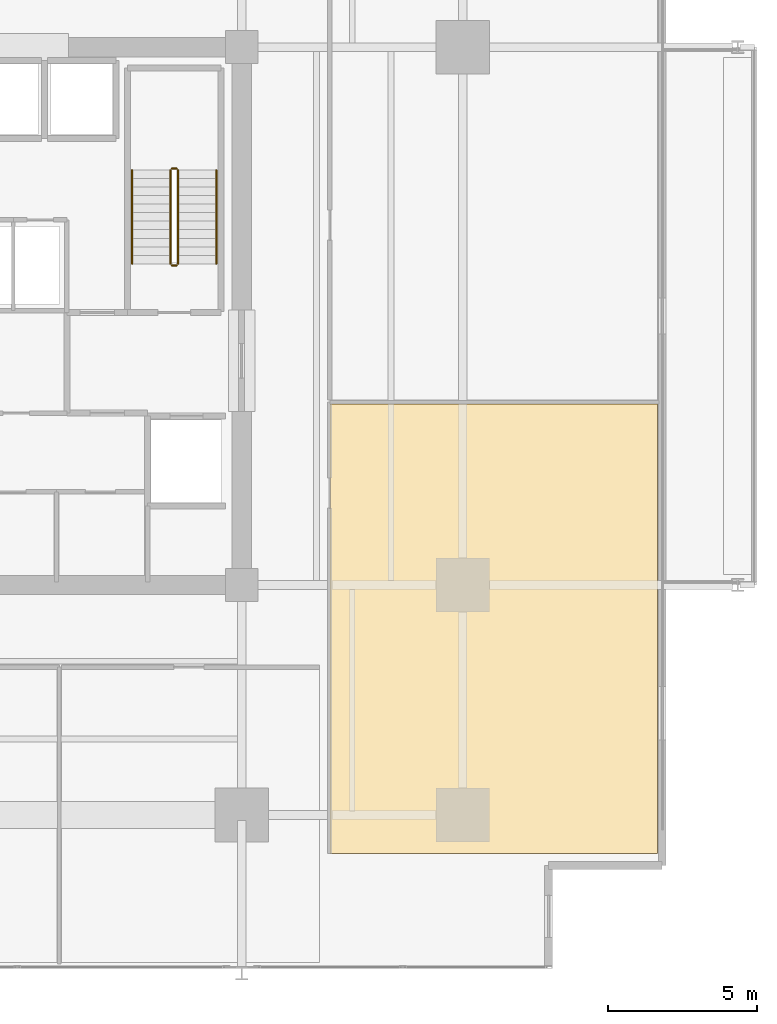
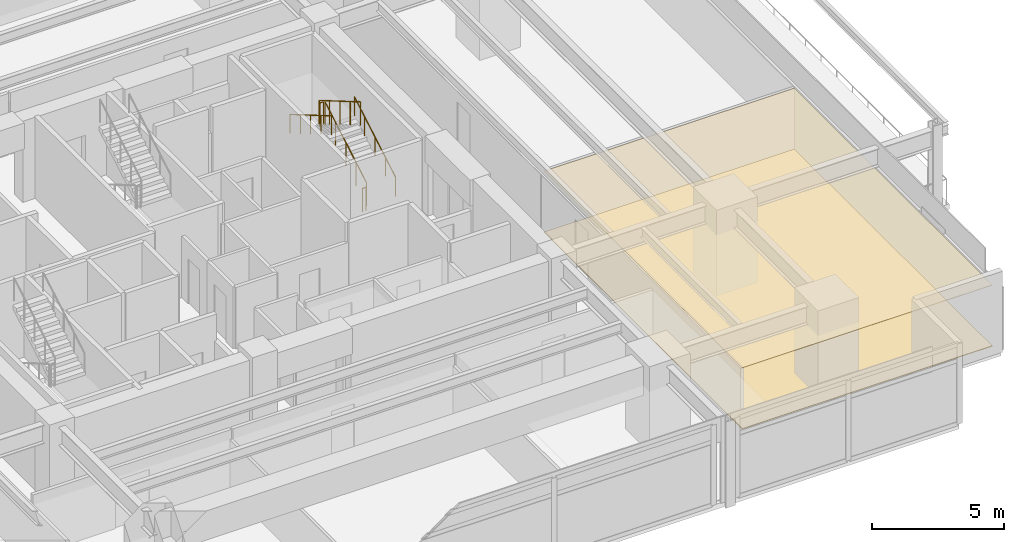
# One storey, part 19 of 20: 6 railings, 2 coverings.
"""IFC4 building model written with IfcOpenShell, lengths in metres."""

from ifc_helpers import new_model, si_unit, direction, frame, origin, origin_2d, place, context, subcontext, project, spatial, polyline, circle, outline, extrude, material, layer, layer_set, type_object, element, save


model = new_model("IFC4")

# Units and contexts
model_context = context("Model", 3, precision=1e-05, world=origin(), true_north=direction((0.0, 1.0)))
body_context = subcontext(model_context, "Body", "Model", "MODEL_VIEW")
ifc_project = project(units=[si_unit("LENGTHUNIT", "METRE"), si_unit("AREAUNIT", "SQUARE_METRE"), si_unit("VOLUMEUNIT", "CUBIC_METRE"), si_unit("PLANEANGLEUNIT", "RADIAN"), si_unit("MASSUNIT", "GRAM", prefix="KILO")], contexts=[model_context])

# Site, building, storey
site_placement = place(None, origin())
site = spatial("IfcSite", under=ifc_project, at=site_placement, CompositionType="ELEMENT")
building_placement = place(site_placement, origin())
building = spatial("IfcBuilding", under=site, at=building_placement, Name="Kovane Verandah Tower", CompositionType="ELEMENT")
storey_placement = place(building_placement, frame((0.0, 0.0, 35.60009765625)))
storey = spatial("IfcBuildingStorey", under=building, at=storey_placement, Name="L07", CompositionType="ELEMENT", Elevation=35.60009765625)

# Coverings
ifc_material_1 = material(Name="Perforated Acoustic Mineral-Fibre Ceiling Tile", Category="gypsum")
ifc_layer_1 = layer(ifc_material_1, 0.02490234375)
ifc_layer_set_1 = layer_set([ifc_layer_1], Name="Perforated Acoustic Mineral-Fibre Ceiling Tile")
covering_type_1 = type_object("IfcCoveringType", Name="CV-CEIL-25", PredefinedType="CEILING", material=ifc_layer_set_1)
covering_1_placement = place(storey_placement, frame((0.0, 0.0, 2.824951171875)))
element("IfcCovering", 1, at=covering_1_placement, inside=storey, type_object=covering_type_1, Name="L07 Collaboration Hub E1 Acoustic Ceiling", PredefinedType="CEILING", context=body_context, shape_type="SweptSolid", body=[
    extrude(outline(polyline([(53.949951171875, 9.5107421875), (64.92041015625, 9.5107421875), (64.92041015625, 24.5517578125), (53.949951171875, 24.5517578125), (53.949951171875, 9.5107421875)])), origin(), (0.0, 0.0, 1.0), 0.02490234375),
])
ifc_material_2 = material(Name="Polished Terrazzo and Raised-Access Carpet Tile Finish", Category="concrete")
ifc_layer_2 = layer(ifc_material_2, 0.030029296875)
ifc_layer_set_2 = layer_set([ifc_layer_2], Name="Polished Terrazzo and Raised-Access Carpet Tile Finish")
covering_type_2 = type_object("IfcCoveringType", Name="CV-FLOR-30", PredefinedType="FLOORING", material=ifc_layer_set_2)
covering_2_placement = place(storey_placement, origin())
element("IfcCovering", 2, at=covering_2_placement, inside=storey, type_object=covering_type_2, Name="L07 Collaboration Hub E1 Floor Finish", PredefinedType="FLOORING", context=body_context, shape_type="SweptSolid", body=[
    extrude(outline(polyline([(53.949951171875, 9.5107421875), (64.92041015625, 9.5107421875), (64.92041015625, 24.5517578125), (53.949951171875, 24.5517578125), (53.949951171875, 9.5107421875)])), origin(), (0.0, 0.0, 1.0), 0.02978515625),
])

# Railings
ifc_material_3 = material(Name="Brushed Stainless Steel Handrail", Category="steel")
railing_type_1 = type_object("IfcRailingType", Name="RL-HAND-920", PredefinedType="HANDRAIL", material=ifc_material_3)
railing_1_placement = place(storey_placement, frame((50.14990234375, 29.25, 0.16650390625)))
element("IfcRailing", 3, at=railing_1_placement, inside=storey, type_object=railing_type_1, Name="L07 ST-02 stair handrail 1", PredefinedType="HANDRAIL", context=body_context, shape_type="SweptSolid", body=[
    extrude(circle(Radius=0.02392578125, at=origin_2d()), frame((0.0, 0.0, 0.8759765625), z_axis=(0.0, 0.863210265497, 0.504844567704), x_axis=(-1.0, 0.0, 0.0)), (0.0, 0.0, 1.0), 3.6318359375),
    extrude(circle(Radius=0.02099609375, at=origin_2d()), origin(), (0.0, 0.0, 1.0), 0.851806640625),
    extrude(circle(Radius=0.02099609375, at=origin_2d()), frame((0.0, 0.78369140625, 0.45849609375)), (0.0, 0.0, 1.0), 0.851806640625),
    extrude(circle(Radius=0.02099609375, at=origin_2d()), frame((0.0, 1.5673828125, 0.916748046875)), (0.0, 0.0, 1.0), 0.851806640625),
    extrude(circle(Radius=0.02099609375, at=origin_2d()), frame((0.0, 2.351318359375, 1.375)), (0.0, 0.0, 1.0), 0.851806640625),
    extrude(circle(Radius=0.02099609375, at=origin_2d()), frame((0.0, 3.135009765625, 1.83349609375)), (0.0, 0.0, 1.0), 0.851806640625),
])
railing_2_placement = place(storey_placement, frame((47.330078125, 32.385009765625, 2.16650390625)))
element("IfcRailing", 4, at=railing_2_placement, inside=storey, type_object=railing_type_1, Name="L07 ST-02 stair handrail 2", PredefinedType="HANDRAIL", context=body_context, shape_type="SweptSolid", body=[
    extrude(circle(Radius=0.02392578125, at=origin_2d()), frame((0.0, 0.0, 0.8759765625), z_axis=(0.0, -0.863210265497, 0.504844567704), x_axis=(1.0, 0.0, 0.0)), (0.0, 0.0, 1.0), 3.6318359375),
    extrude(circle(Radius=0.02099609375, at=origin_2d()), origin(), (0.0, 0.0, 1.0), 0.851806640625),
    extrude(circle(Radius=0.02099609375, at=origin_2d()), frame((0.0, -0.78369140625, 0.45849609375)), (0.0, 0.0, 1.0), 0.851806640625),
    extrude(circle(Radius=0.02099609375, at=origin_2d()), frame((0.0, -1.5673828125, 0.916748046875)), (0.0, 0.0, 1.0), 0.851806640625),
    extrude(circle(Radius=0.02099609375, at=origin_2d()), frame((0.0, -2.351318359375, 1.375)), (0.0, 0.0, 1.0), 0.851806640625),
    extrude(circle(Radius=0.02099609375, at=origin_2d()), frame((0.0, -3.135009765625, 1.83349609375)), (0.0, 0.0, 1.0), 0.851806640625),
])
ifc_material_4 = material(Name="Painted Steel Stairwell Guardrail", Category="steel")
railing_type_2 = type_object("IfcRailingType", Name="RL-STGUARD-1120", PredefinedType="GUARDRAIL", material=ifc_material_4)
railing_3_placement = place(storey_placement, frame((48.8701171875, 29.25, 0.16650390625)))
element("IfcRailing", 5, at=railing_3_placement, inside=storey, type_object=railing_type_2, Name="L07 ST-02 stair guard 1", PredefinedType="GUARDRAIL", context=body_context, shape_type="SweptSolid", body=[
    extrude(circle(Radius=0.02392578125, at=origin_2d()), frame((0.0, 0.0, 1.076171875), z_axis=(0.0, 0.863210265497, 0.504844567704), x_axis=(-1.0, 0.0, 0.0)), (0.0, 0.0, 1.0), 3.6318359375),
    extrude(circle(Radius=0.02099609375, at=origin_2d()), origin(), (0.0, 0.0, 1.0), 1.052001953125),
    extrude(circle(Radius=0.02099609375, at=origin_2d()), frame((0.0, 0.78369140625, 0.45849609375)), (0.0, 0.0, 1.0), 1.052001953125),
    extrude(circle(Radius=0.02099609375, at=origin_2d()), frame((0.0, 1.5673828125, 0.916748046875)), (0.0, 0.0, 1.0), 1.052001953125),
    extrude(circle(Radius=0.02099609375, at=origin_2d()), frame((0.0, 2.351318359375, 1.375)), (0.0, 0.0, 1.0), 1.052001953125),
    extrude(circle(Radius=0.02099609375, at=origin_2d()), frame((0.0, 3.135009765625, 1.83349609375)), (0.0, 0.0, 1.0), 1.052001953125),
])
railing_4_placement = place(storey_placement, frame((48.820068359375, 32.43505859375, 2.0)))
element("IfcRailing", 6, at=railing_4_placement, inside=storey, type_object=railing_type_2, Name="L07 ST-02 stair guard 2", PredefinedType="GUARDRAIL", context=body_context, shape_type="SweptSolid", body=[
    extrude(circle(Radius=0.02392578125, at=origin_2d()), frame((0.0, 0.0, 1.076171875), z_axis=(-1.0, 0.0, 0.0), x_axis=(0.0, -1.0, 0.0)), (0.0, 0.0, 1.0), 0.16015625),
    extrude(circle(Radius=0.02099609375, at=origin_2d()), origin(), (0.0, 0.0, 1.0), 1.052001953125),
    extrude(circle(Radius=0.02099609375, at=origin_2d()), frame((-0.16015625, 0.0, 0.0)), (0.0, 0.0, 1.0), 1.052001953125),
])
railing_5_placement = place(storey_placement, frame((48.610107421875, 32.385009765625, 2.16650390625)))
element("IfcRailing", 7, at=railing_5_placement, inside=storey, type_object=railing_type_2, Name="L07 ST-02 stair guard 3", PredefinedType="GUARDRAIL", context=body_context, shape_type="SweptSolid", body=[
    extrude(circle(Radius=0.02392578125, at=origin_2d()), frame((0.0, 0.0, 1.076171875), z_axis=(0.0, -0.863210265497, 0.504844567704), x_axis=(1.0, 0.0, 0.0)), (0.0, 0.0, 1.0), 3.6318359375),
    extrude(circle(Radius=0.02099609375, at=origin_2d()), origin(), (0.0, 0.0, 1.0), 1.052001953125),
    extrude(circle(Radius=0.02099609375, at=origin_2d()), frame((0.0, -0.78369140625, 0.45849609375)), (0.0, 0.0, 1.0), 1.052001953125),
    extrude(circle(Radius=0.02099609375, at=origin_2d()), frame((0.0, -1.5673828125, 0.916748046875)), (0.0, 0.0, 1.0), 1.052001953125),
    extrude(circle(Radius=0.02099609375, at=origin_2d()), frame((0.0, -2.351318359375, 1.375)), (0.0, 0.0, 1.0), 1.052001953125),
    extrude(circle(Radius=0.02099609375, at=origin_2d()), frame((0.0, -3.135009765625, 1.83349609375)), (0.0, 0.0, 1.0), 1.052001953125),
])
railing_6_placement = place(storey_placement, frame((48.820068359375, 29.199951171875, 0.0)))
element("IfcRailing", 8, at=railing_6_placement, inside=storey, type_object=railing_type_2, Name="L07 ST-02 stair guard 4", PredefinedType="GUARDRAIL", context=body_context, shape_type="SweptSolid", body=[
    extrude(circle(Radius=0.02392578125, at=origin_2d()), frame((0.0, 0.0, 1.076171875), z_axis=(-1.0, 0.0, 0.0), x_axis=(0.0, -1.0, 0.0)), (0.0, 0.0, 1.0), 0.16015625),
    extrude(circle(Radius=0.02099609375, at=origin_2d()), origin(), (0.0, 0.0, 1.0), 1.052001953125),
    extrude(circle(Radius=0.02099609375, at=origin_2d()), frame((-0.16015625, 0.0, 0.0)), (0.0, 0.0, 1.0), 1.052001953125),
])

save(model, "model.ifc")
